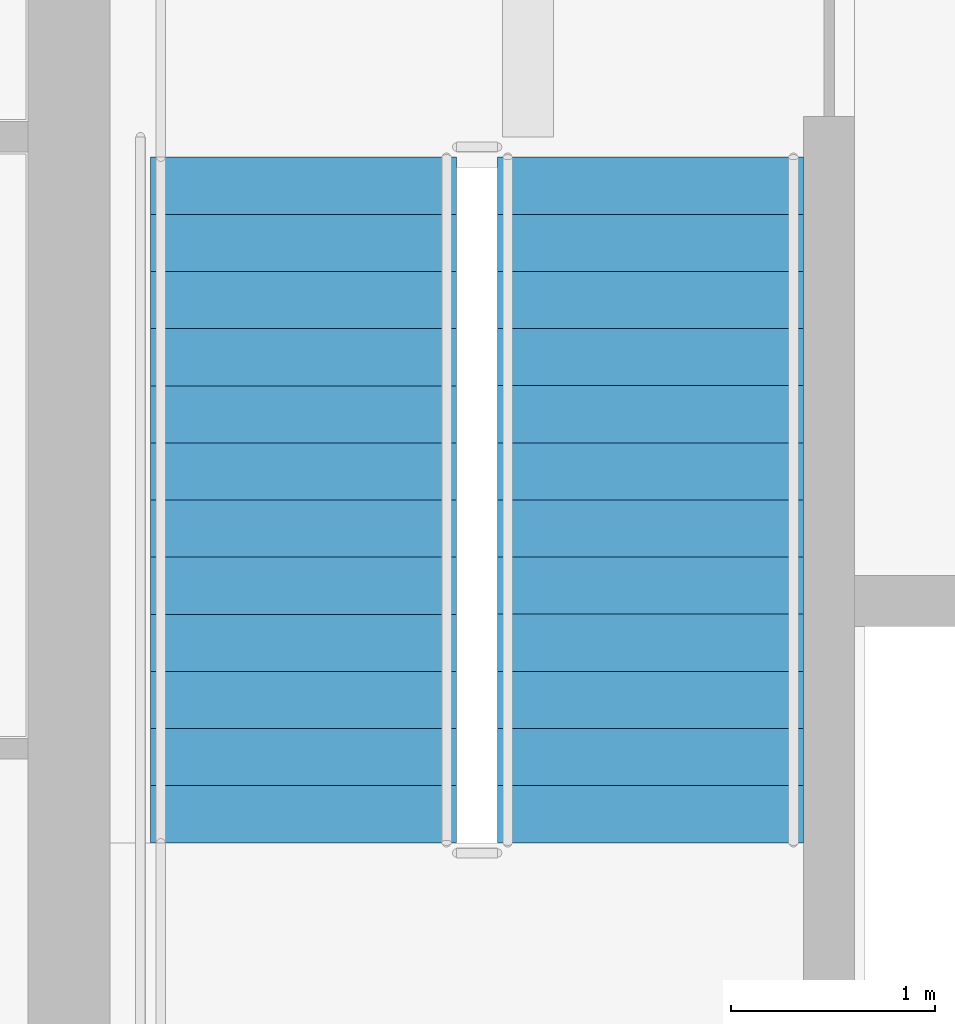
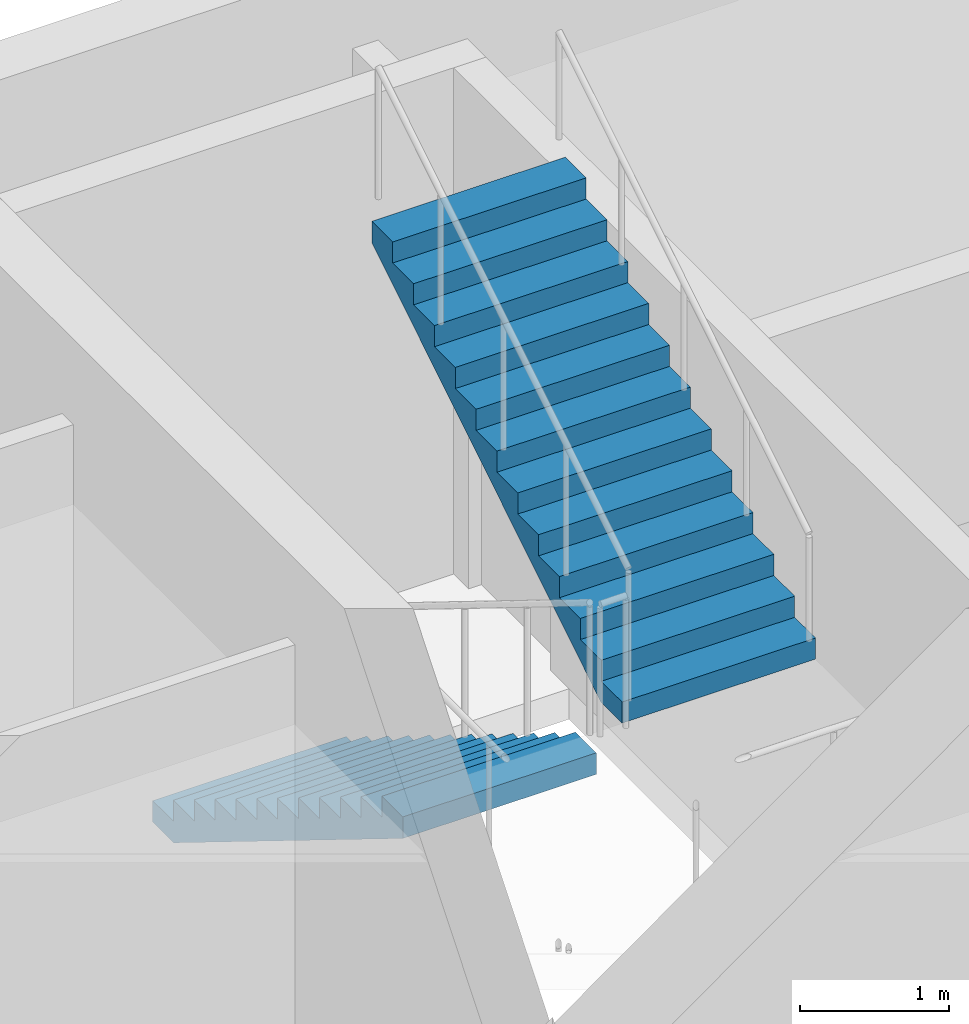
# One storey, part 61 of 88: 2 stair flights, 1 element without a shape of its own.
"""IFC4 building model written with IfcOpenShell, lengths in metres."""

from ifc_helpers import new_model, si_unit, direction, frame, origin, place, context, subcontext, project, spatial, polyline, outline, extrude, material, type_object, element, aggregate, save


model = new_model("IFC4")

# Units and contexts
model_context = context("Model", 3, precision=1e-05, world=origin(), true_north=direction((0.0, 1.0)))
body_context = subcontext(model_context, "Body", "Model", "MODEL_VIEW")
ifc_project = project(units=[si_unit("LENGTHUNIT", "METRE"), si_unit("AREAUNIT", "SQUARE_METRE"), si_unit("VOLUMEUNIT", "CUBIC_METRE"), si_unit("PLANEANGLEUNIT", "RADIAN"), si_unit("MASSUNIT", "GRAM", prefix="KILO")], contexts=[model_context])

# Site, building, storey
site_placement = place(None, origin())
site = spatial("IfcSite", under=ifc_project, at=site_placement, CompositionType="ELEMENT")
building_placement = place(site_placement, origin())
building = spatial("IfcBuilding", under=site, at=building_placement, Name="Merrow Basin Faculty of Sciences", CompositionType="ELEMENT")
storey_placement = place(building_placement, frame((0.0, 0.0, 9.0)))
storey = spatial("IfcBuildingStorey", under=building, at=storey_placement, Name="L02", CompositionType="ELEMENT", Elevation=9.0)

# Stair, stair flights
ifc_material_1 = material(Name="Concrete C40/50", Category="concrete")
stair_type = type_object("IfcStairType", Name="Concrete dog-leg stair Concrete C40/50", PredefinedType="HALF_TURN_STAIR", material=ifc_material_1)
stair_placement = place(storey_placement, origin())
stair = element("IfcStair", 1, at=stair_placement, inside=storey, type_object=stair_type, Name="L02 Exit stair N", PredefinedType="HALF_TURN_STAIR")
ifc_material_2 = material(Name="Concrete C40/50", Category="concrete")
stair_flight_type = type_object("IfcStairFlightType", Name="Concrete stair flight Concrete C40/50", PredefinedType="STRAIGHT", material=ifc_material_2)
stair_flight_1_placement = place(storey_placement, frame((64.14990234375, 129.89990234375, 0.0), z_axis=(0.0, 0.0, 1.0), x_axis=(0.0, -1.0, 0.0)))
stair_flight_1 = element("IfcStairFlight", 2, at=stair_flight_1_placement, type_object=stair_flight_type, Name="ST-V2-N flight 1", NumberOfRisers=13, NumberOfTreads=12, PredefinedType="STRAIGHT", RiserHeight=0.173076923, TreadLength=0.28, context=body_context, shape_type="SweptSolid", body=[
    extrude(outline(polyline([(0.0, 0.0), (0.0, 0.173095703125), (0.280029296875, 0.173095703125), (0.280029296875, 0.34619140625), (0.56005859375, 0.34619140625), (0.56005859375, 0.519287109375), (0.840087890625, 0.519287109375), (0.840087890625, 0.6923828125), (1.1201171875, 0.6923828125), (1.1201171875, 0.865478515625), (1.39990234375, 0.865478515625), (1.39990234375, 1.03857421875), (1.679931640625, 1.03857421875), (1.679931640625, 1.21142578125), (1.9599609375, 1.21142578125), (1.9599609375, 1.384521484375), (2.239990234375, 1.384521484375), (2.239990234375, 1.5576171875), (2.52001953125, 1.5576171875), (2.52001953125, 1.730712890625), (2.800048828125, 1.730712890625), (2.800048828125, 1.90380859375), (3.080078125, 1.90380859375), (3.080078125, 2.076904296875), (3.360107421875, 2.076904296875), (3.360107421875, 2.25), (3.360107421875, 1.900634765625), (0.28515625, 0.0), (0.0, 0.0)])), frame((0.0, 0.75, 0.0), z_axis=(0.0, -1.0, 0.0), x_axis=(1.0, 0.0, 0.0)), (0.0, 0.0, 1.0), 1.5),
])
stair_flight_2_placement = place(storey_placement, frame((65.85009765625, 126.5400390625, 2.25), z_axis=(0.0, 0.0, 1.0), x_axis=(0.0, 1.0, 0.0)))
stair_flight_2 = element("IfcStairFlight", 3, at=stair_flight_2_placement, type_object=stair_flight_type, Name="ST-V2-N flight 2", NumberOfRisers=13, NumberOfTreads=12, PredefinedType="STRAIGHT", RiserHeight=0.173076923, TreadLength=0.28, context=body_context, shape_type="SweptSolid", body=[
    extrude(outline(polyline([(0.0, 0.0), (0.0, 0.173095703125), (0.280029296875, 0.173095703125), (0.280029296875, 0.34619140625), (0.56005859375, 0.34619140625), (0.56005859375, 0.519287109375), (0.840087890625, 0.519287109375), (0.840087890625, 0.6923828125), (1.1201171875, 0.6923828125), (1.1201171875, 0.865478515625), (1.39990234375, 0.865478515625), (1.39990234375, 1.03857421875), (1.679931640625, 1.03857421875), (1.679931640625, 1.21142578125), (1.9599609375, 1.21142578125), (1.9599609375, 1.384521484375), (2.239990234375, 1.384521484375), (2.239990234375, 1.5576171875), (2.52001953125, 1.5576171875), (2.52001953125, 1.730712890625), (2.800048828125, 1.730712890625), (2.800048828125, 1.90380859375), (3.080078125, 1.90380859375), (3.080078125, 2.076904296875), (3.360107421875, 2.076904296875), (3.360107421875, 2.25), (3.360107421875, 1.900634765625), (0.28515625, 0.0), (0.0, 0.0)])), frame((0.0, 0.75, 0.0), z_axis=(0.0, -1.0, 0.0), x_axis=(1.0, 0.0, 0.0)), (0.0, 0.0, 1.0), 1.5),
])
aggregate(stair, [stair_flight_1, stair_flight_2])

save(model, "model.ifc")
